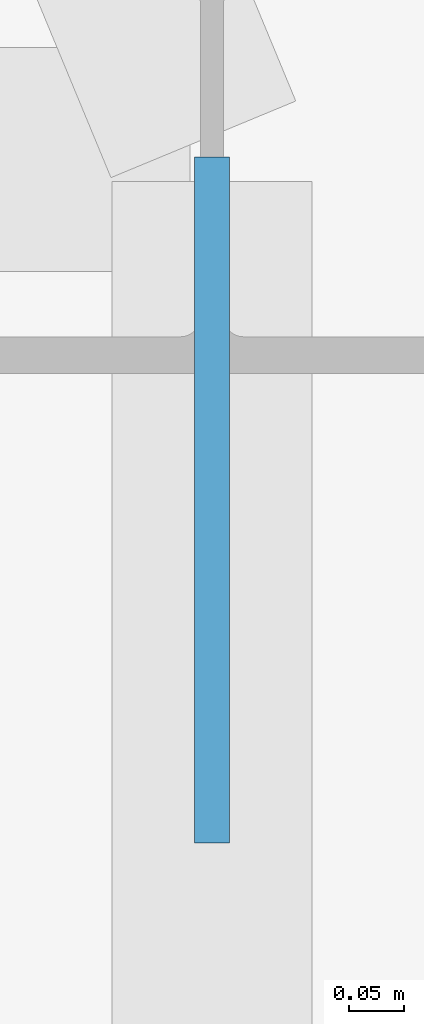
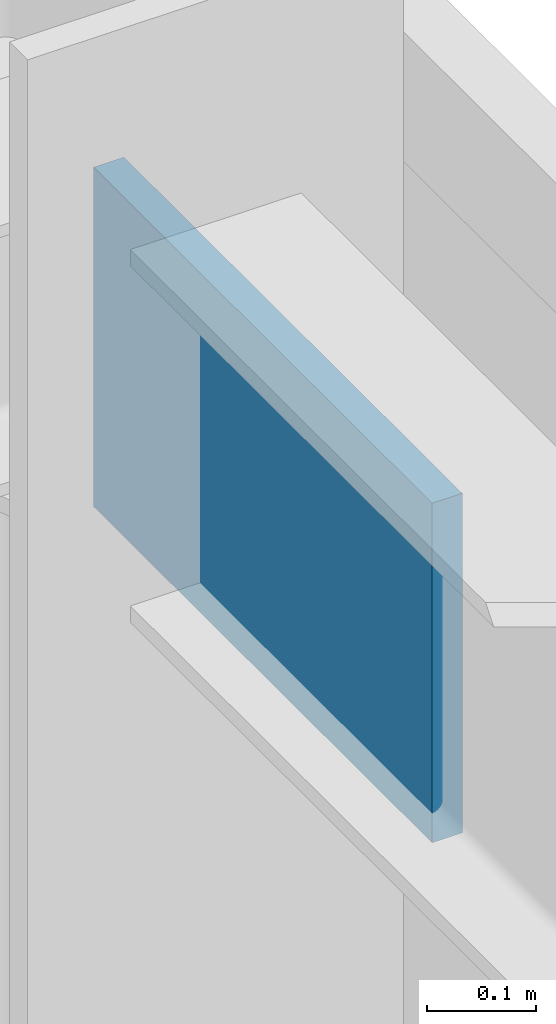
# One storey, part 31 of 36: 1 plate.
"""IFC4 building model written with IfcOpenShell, lengths in metres."""

from ifc_helpers import new_model, si_unit, direction, frame, origin, origin_2d, place, context, subcontext, project, spatial, rectangle, extrude, source, transform, mapped, material, layer, layer_set, type_object, type_shapes, element, save


model = new_model("IFC4")

# Units and contexts
model_context = context("Model", 3, precision=1e-05, world=origin(), true_north=direction((0.0, 1.0)))
body_context = subcontext(model_context, "Body", "Model", "MODEL_VIEW")
ifc_project = project(units=[si_unit("LENGTHUNIT", "METRE"), si_unit("AREAUNIT", "SQUARE_METRE"), si_unit("VOLUMEUNIT", "CUBIC_METRE"), si_unit("PLANEANGLEUNIT", "RADIAN"), si_unit("MASSUNIT", "GRAM", prefix="KILO")], contexts=[model_context])

# Site, building, storey
site_placement = place(None, origin())
site = spatial("IfcSite", under=ifc_project, at=site_placement, CompositionType="ELEMENT")
building_placement = place(site_placement, origin())
building = spatial("IfcBuilding", under=site, at=building_placement, Name="Varnel Quay Broadcast Tower", CompositionType="ELEMENT")
storey_placement = place(building_placement, frame((0.0, 0.0, 114.39990234375)))
storey = spatial("IfcBuildingStorey", under=building, at=storey_placement, Name="L27", CompositionType="ELEMENT", Elevation=114.39990234375)

# Plate
ifc_material = material(Name="Structural Steel CSA G40.21 350WT", Category="steel")
ifc_layer = layer(ifc_material, 0.031982421875, Name="Structural Steel CSA G40.21 350WT")
ifc_layer_set = layer_set([ifc_layer], Name="Structural Steel CSA G40.21 350WT")
plate_type = type_object("IfcPlateType", Name="Plate_EndCap", PredefinedType="USERDEFINED", material=ifc_layer_set)
shared_shape = source(origin(), body_context, "Body", "SweptSolid", [
    extrude(rectangle(XDim=0.6201171875, YDim=0.031982421875, at=origin_2d()), origin(), (0.0, 0.0, 1.0), 0.3798828125),
])
type_shapes(plate_type, [shared_shape])
plate_placement = place(storey_placement, frame((63.050048828125, 35.292236328125, 3.117431640625), z_axis=(0.0, 0.0, 1.0), x_axis=(0.0, 1.0, 0.0)))
element("IfcPlate", 1, at=plate_placement, inside=storey, type_object=plate_type, Name="Zone 2 Mega-Brace E-FT2 Diag A End Connection Plate P1", ObjectType="CAP_PLATE", PredefinedType="USERDEFINED", context=body_context, shape_type="MappedRepresentation", body=[
    mapped(shared_shape, transform((0.0, 0.0, 0.0), x_axis=(1.0, 0.0, 0.0), y_axis=(0.0, 1.0, 0.0), z_axis=(0.0, 0.0, 1.0), scale=1.0)),
])

save(model, "model.ifc")
